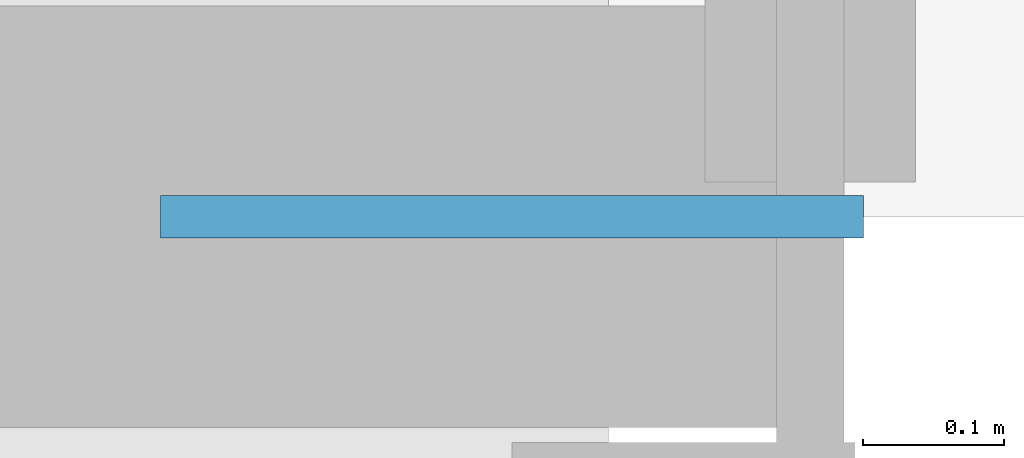
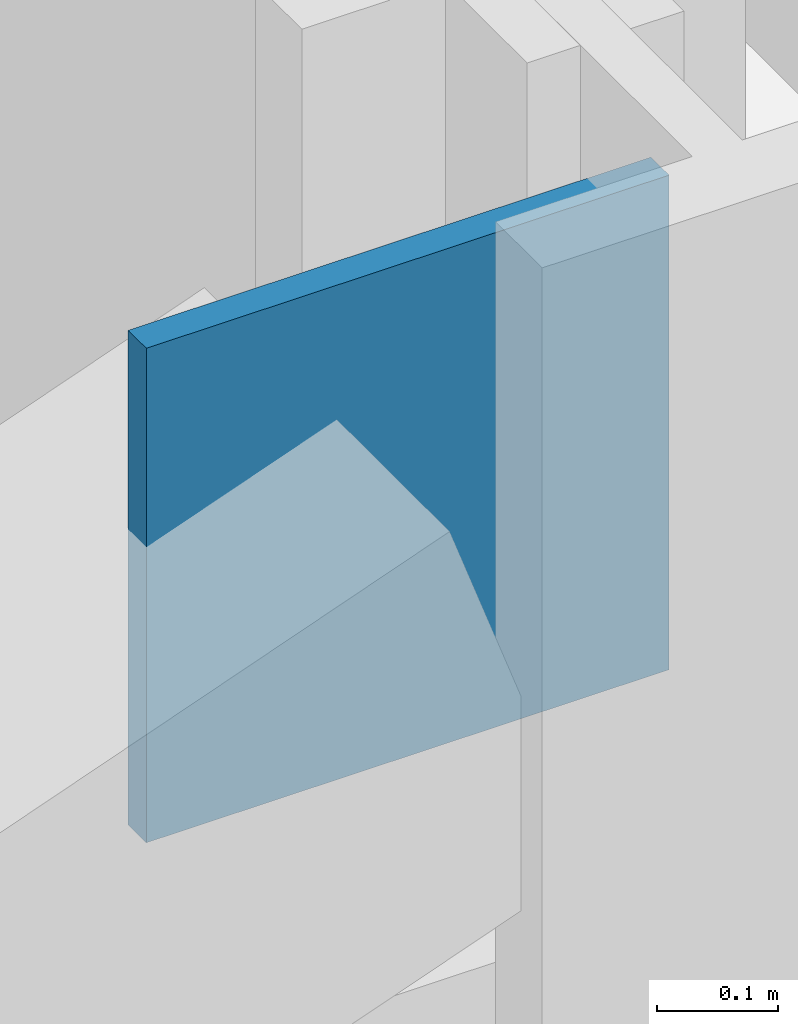
# One storey, part 20 of 29: 1 discrete accessory.
"""IFC4 building model written with IfcOpenShell, lengths in metres."""

from ifc_helpers import new_model, si_unit, direction, frame, origin, origin_2d, place, context, subcontext, project, spatial, rectangle, extrude, material, layer, layer_set, type_object, element, save


model = new_model("IFC4")

# Units and contexts
model_context = context("Model", 3, precision=1e-05, world=origin(), true_north=direction((0.0, 1.0)))
body_context = subcontext(model_context, "Body", "Model", "MODEL_VIEW")
ifc_project = project(units=[si_unit("LENGTHUNIT", "METRE"), si_unit("AREAUNIT", "SQUARE_METRE"), si_unit("VOLUMEUNIT", "CUBIC_METRE"), si_unit("PLANEANGLEUNIT", "RADIAN"), si_unit("MASSUNIT", "GRAM", prefix="KILO")], contexts=[model_context])

# Site, building, storey
site_placement = place(None, origin())
site = spatial("IfcSite", under=ifc_project, at=site_placement, CompositionType="ELEMENT")
building_placement = place(site_placement, origin())
building = spatial("IfcBuilding", under=site, at=building_placement, Name="Mahtab Terrace Research Tower", CompositionType="ELEMENT")
storey_placement = place(building_placement, frame((0.0, 0.0, 58.89990234375)))
storey = spatial("IfcBuildingStorey", under=building, at=storey_placement, Name="L13", CompositionType="ELEMENT", Elevation=58.89990234375)

# Discrete accessory
ifc_material = material(Name="Steel ASTM A992 Gr 50", Category="steel")
ifc_layer = layer(ifc_material, 0.030029296875)
ifc_layer_set = layer_set([ifc_layer], Name="Gusset plate 500x500x30")
discrete_accessory_type = type_object("IfcDiscreteAccessoryType", Name="Gusset plate 500x500x30", PredefinedType="USERDEFINED", material=ifc_layer_set)
discrete_accessory_placement = place(storey_placement, frame((17.787841796875, -23.0, 3.33154296875), z_axis=(0.0, 0.0, 1.0), x_axis=(1.0, 0.0, 0.0)))
element("IfcDiscreteAccessory", 1, at=discrete_accessory_placement, inside=storey, type_object=discrete_accessory_type, Name="Gusset plate", ObjectType="GUSSET PLATE", PredefinedType="USERDEFINED", context=body_context, shape_type="SweptSolid", body=[
    extrude(rectangle(XDim=0.5, YDim=0.030029296875, at=origin_2d()), origin(), (0.0, 0.0, 1.0), 0.5),
])

save(model, "model.ifc")
